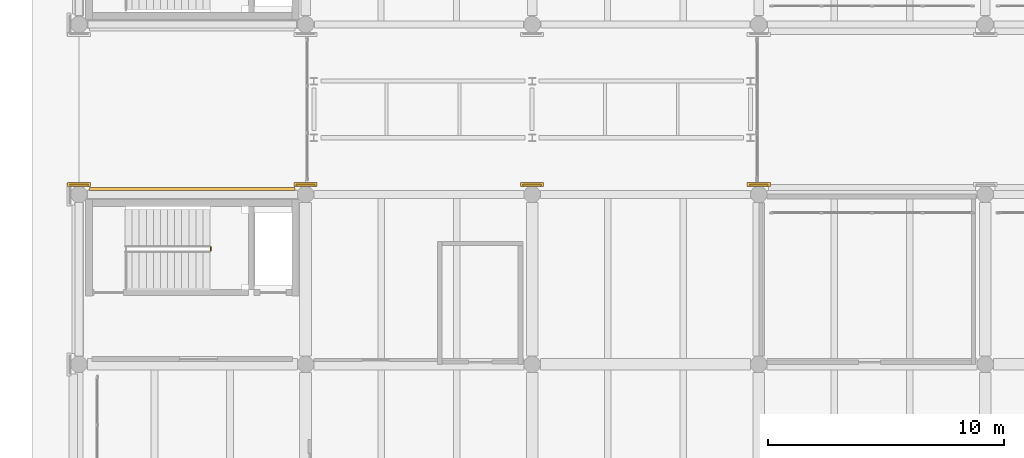
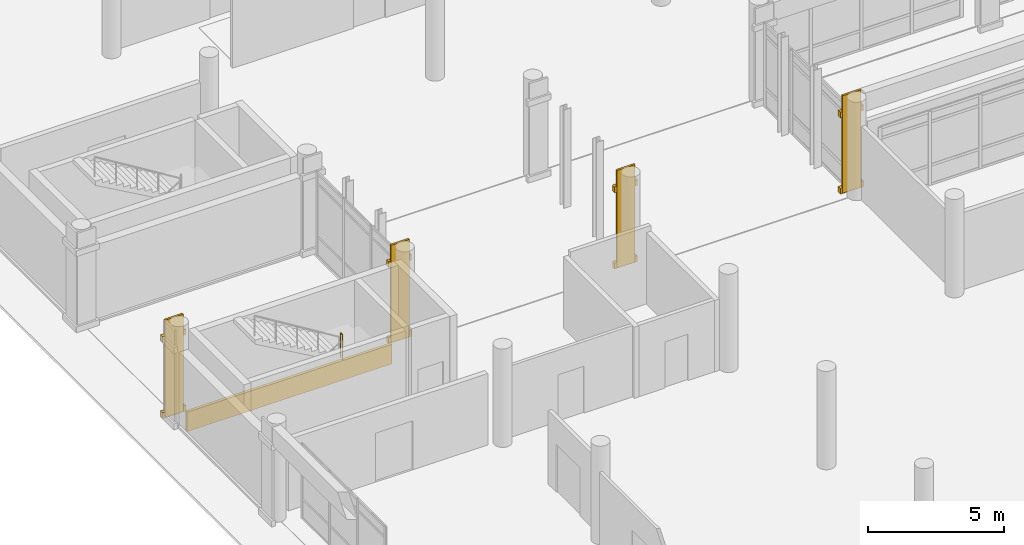
# One storey, part 171 of 196: 13 coverings, 1 railing.
"""IFC4 building model written with IfcOpenShell, lengths in metres."""

from ifc_helpers import new_model, si_unit, direction, frame, origin, origin_2d, place, context, subcontext, project, spatial, rectangle, circle, extrude, material, layer, layer_set, type_object, element, save


model = new_model("IFC4")

# Units and contexts
model_context = context("Model", 3, precision=1e-05, world=origin(), true_north=direction((0.0, 1.0)))
body_context = subcontext(model_context, "Body", "Model", "MODEL_VIEW")
ifc_project = project(units=[si_unit("LENGTHUNIT", "METRE"), si_unit("AREAUNIT", "SQUARE_METRE"), si_unit("VOLUMEUNIT", "CUBIC_METRE"), si_unit("PLANEANGLEUNIT", "RADIAN"), si_unit("MASSUNIT", "GRAM", prefix="KILO")], contexts=[model_context])

# Site, building, storey
site_placement = place(None, origin())
site = spatial("IfcSite", under=ifc_project, at=site_placement, CompositionType="ELEMENT")
building_placement = place(site_placement, origin())
building = spatial("IfcBuilding", under=site, at=building_placement, Name="Asteropetra Specialist Clinic", CompositionType="ELEMENT")
storey_placement = place(building_placement, origin())
storey = spatial("IfcBuildingStorey", under=building, at=storey_placement, Name="L00", CompositionType="ELEMENT", Elevation=0.0)

# Coverings
ifc_material_1 = material(Name="Pentelic marble ashlar", Category="masonry")
ifc_layer = layer(ifc_material_1, 0.159912109375)
ifc_layer_set = layer_set([ifc_layer], Name="Pentelic marble ashlar")
covering_type = type_object("IfcCoveringType", Name="CRN-ENTAB-600", PredefinedType="MOLDING", material=ifc_layer_set)
covering_1_placement = place(storey_placement, frame((0.0, 26.781982421875, 0.02001953125), z_axis=(0.0, 0.0, 1.0), x_axis=(1.0, 0.0, 0.0)))
element("IfcCovering", 1, at=covering_1_placement, inside=storey, type_object=covering_type, Name="Neoclassical Pilaster Facing CM-0250", PredefinedType="MOLDING", context=body_context, shape_type="SweptSolid", body=[
    extrude(rectangle(XDim=0.780029296875, YDim=0.080078125, at=origin_2d()), origin(), (0.0, 0.0, 1.0), 4.3798828125),
])
for number, where, z_axis, x_axis, name in (
    (2, (0.0, 26.822021484375, 0.009765625), (0.0, 0.0, 1.0), (1.0, 0.0, 0.0), "Doric Base CC-0251"),
    (3, (0.0, 26.822021484375, 3.43017578125), (0.0, 0.0, 1.0), (1.0, 0.0, 0.0), "Doric Capital CC-0252"),
):
    element("IfcCovering", number, at=place(storey_placement, frame(where, z_axis=z_axis, x_axis=x_axis)), inside=storey, type_object=covering_type, Name=name, PredefinedType="MOLDING", context=body_context, shape_type="SweptSolid", body=[
        extrude(rectangle(XDim=0.97998046875, YDim=0.159912109375, at=origin_2d()), origin(), (0.0, 0.0, 1.0), 0.260009765625),
    ])
covering_2_placement = place(storey_placement, frame((9.60009765625, 26.781982421875, 0.02001953125), z_axis=(0.0, 0.0, 1.0), x_axis=(1.0, 0.0, 0.0)))
element("IfcCovering", 4, at=covering_2_placement, inside=storey, type_object=covering_type, Name="Neoclassical Pilaster Facing CM-0259", PredefinedType="MOLDING", context=body_context, shape_type="SweptSolid", body=[
    extrude(rectangle(XDim=0.780029296875, YDim=0.080078125, at=origin_2d()), origin(), (0.0, 0.0, 1.0), 4.3798828125),
])
for number, where, z_axis, x_axis, name in (
    (5, (9.60009765625, 26.822021484375, 0.009765625), (0.0, 0.0, 1.0), (1.0, 0.0, 0.0), "Doric Base CC-0260"),
    (6, (9.60009765625, 26.822021484375, 3.43017578125), (0.0, 0.0, 1.0), (1.0, 0.0, 0.0), "Doric Capital CC-0261"),
):
    element("IfcCovering", number, at=place(storey_placement, frame(where, z_axis=z_axis, x_axis=x_axis)), inside=storey, type_object=covering_type, Name=name, PredefinedType="MOLDING", context=body_context, shape_type="SweptSolid", body=[
        extrude(rectangle(XDim=0.97998046875, YDim=0.159912109375, at=origin_2d()), origin(), (0.0, 0.0, 1.0), 0.260009765625),
    ])
covering_3_placement = place(storey_placement, frame((19.199951171875, 26.781982421875, 0.02001953125), z_axis=(0.0, 0.0, 1.0), x_axis=(1.0, 0.0, 0.0)))
element("IfcCovering", 7, at=covering_3_placement, inside=storey, type_object=covering_type, Name="Neoclassical Pilaster Facing CM-0265", PredefinedType="MOLDING", context=body_context, shape_type="SweptSolid", body=[
    extrude(rectangle(XDim=0.780029296875, YDim=0.080078125, at=origin_2d()), origin(), (0.0, 0.0, 1.0), 4.3798828125),
])
for number, where, z_axis, x_axis, name in (
    (8, (19.199951171875, 26.822021484375, 0.009765625), (0.0, 0.0, 1.0), (1.0, 0.0, 0.0), "Doric Base CC-0266"),
    (9, (19.199951171875, 26.822021484375, 3.43017578125), (0.0, 0.0, 1.0), (1.0, 0.0, 0.0), "Doric Capital CC-0267"),
):
    element("IfcCovering", number, at=place(storey_placement, frame(where, z_axis=z_axis, x_axis=x_axis)), inside=storey, type_object=covering_type, Name=name, PredefinedType="MOLDING", context=body_context, shape_type="SweptSolid", body=[
        extrude(rectangle(XDim=0.97998046875, YDim=0.159912109375, at=origin_2d()), origin(), (0.0, 0.0, 1.0), 0.260009765625),
    ])
covering_4_placement = place(storey_placement, frame((28.800048828125, 26.781982421875, 0.02001953125), z_axis=(0.0, 0.0, 1.0), x_axis=(1.0, 0.0, 0.0)))
element("IfcCovering", 10, at=covering_4_placement, inside=storey, type_object=covering_type, Name="Neoclassical Pilaster Facing CM-0271", PredefinedType="MOLDING", context=body_context, shape_type="SweptSolid", body=[
    extrude(rectangle(XDim=0.780029296875, YDim=0.080078125, at=origin_2d()), origin(), (0.0, 0.0, 1.0), 4.3798828125),
])
for number, where, z_axis, x_axis, name in (
    (11, (28.800048828125, 26.822021484375, 0.009765625), (0.0, 0.0, 1.0), (1.0, 0.0, 0.0), "Doric Base CC-0272"),
    (12, (28.800048828125, 26.822021484375, 3.43017578125), (0.0, 0.0, 1.0), (1.0, 0.0, 0.0), "Doric Capital CC-0273"),
):
    element("IfcCovering", number, at=place(storey_placement, frame(where, z_axis=z_axis, x_axis=x_axis)), inside=storey, type_object=covering_type, Name=name, PredefinedType="MOLDING", context=body_context, shape_type="SweptSolid", body=[
        extrude(rectangle(XDim=0.97998046875, YDim=0.159912109375, at=origin_2d()), origin(), (0.0, 0.0, 1.0), 0.260009765625),
    ])
covering_5_placement = place(storey_placement, frame((4.800048828125, 26.6298828125, -0.800048828125), z_axis=(0.0, 0.0, 1.0), x_axis=(1.0, 0.0, 0.0)))
element("IfcCovering", 13, at=covering_5_placement, inside=storey, type_object=covering_type, Name="Chevron Spandrel Band CV-1359", PredefinedType="MOLDING", context=body_context, shape_type="SweptSolid", body=[
    extrude(rectangle(XDim=8.699951171875, YDim=0.1201171875, at=origin_2d()), origin(), (0.0, 0.0, 1.0), 0.8798828125),
])

# Railing
ifc_material_2 = material(Name="Steel S355 and laminated glass guard", Category="steel")
railing_type = type_object("IfcRailingType", Name="GRD-INT-1120", PredefinedType="GUARDRAIL", material=ifc_material_2)
railing_placement = place(storey_placement, frame((5.580078125, 24.02001953125, 2.2099609375)))
element("IfcRailing", 14, at=railing_placement, inside=storey, type_object=railing_type, Name="Landing Slot Guard ST06-L00", PredefinedType="GUARDRAIL", context=body_context, shape_type="SweptSolid", body=[
    extrude(circle(Radius=0.02392578125, at=origin_2d()), frame((0.0, 0.0, 1.09619140625), z_axis=(0.0, 1.0, 0.0), x_axis=(-1.0, 0.0, 0.0)), (0.0, 0.0, 1.0), 0.139892578125),
    extrude(circle(Radius=0.02099609375, at=origin_2d()), origin(), (0.0, 0.0, 1.0), 1.072021484375),
    extrude(circle(Radius=0.02099609375, at=origin_2d()), frame((0.0, 0.139892578125, 0.0)), (0.0, 0.0, 1.0), 1.072021484375),
])

save(model, "model.ifc")
